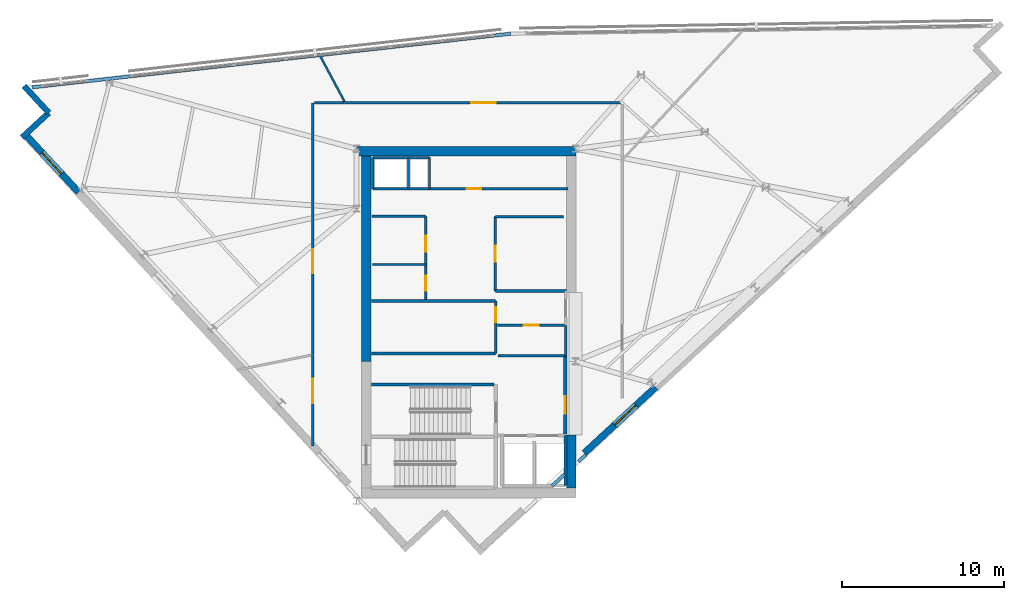
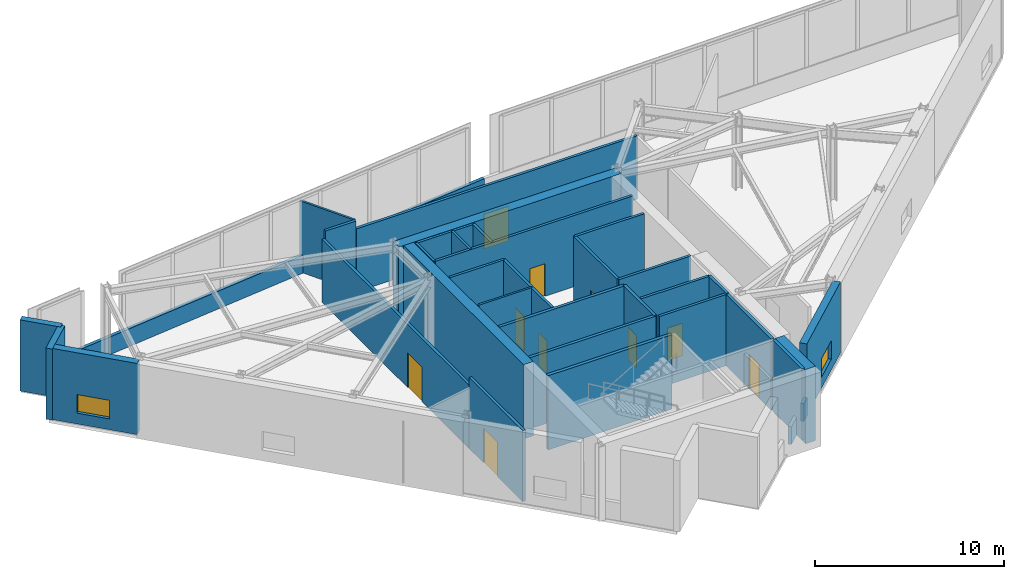
# One storey, part 9 of 12: 35 walls, 10 doors, 2 windows, 12 openings.
"""IFC4 building model written with IfcOpenShell, lengths in metres."""

from ifc_helpers import new_model, si_unit, direction, frame, frame_2d, origin, place, context, subcontext, project, spatial, polyline, rectangle, outline, extrude, material, layer, layer_set, type_object, element, fill, save


model = new_model("IFC4")

# Units and contexts
model_context = context("Model", 3, precision=1e-05, world=origin(), true_north=direction((0.0, 1.0)))
body_context = subcontext(model_context, "Body", "Model", "MODEL_VIEW")
ifc_project = project(units=[si_unit("LENGTHUNIT", "METRE"), si_unit("AREAUNIT", "SQUARE_METRE"), si_unit("VOLUMEUNIT", "CUBIC_METRE"), si_unit("PLANEANGLEUNIT", "RADIAN"), si_unit("MASSUNIT", "GRAM", prefix="KILO")], contexts=[model_context])

# Site, building, storey
site_placement = place(None, origin())
site = spatial("IfcSite", under=ifc_project, at=site_placement, CompositionType="ELEMENT")
building_placement = place(site_placement, origin())
building = spatial("IfcBuilding", under=site, at=building_placement, Name="Narakoshi Arena Tower", CompositionType="ELEMENT")
storey_placement = place(building_placement, frame((0.0, 0.0, 298.179931640625)))
storey = spatial("IfcBuildingStorey", under=building, at=storey_placement, Name="L81", CompositionType="ELEMENT", Elevation=298.179931640625)

# Walls
ifc_material_1 = material(Name="Concrete C50/60", Category="concrete")
ifc_layer_1 = layer(ifc_material_1, 0.60009765625)
ifc_layer_set_1 = layer_set([ifc_layer_1], Name="Concrete C50/60")
wall_type_1 = type_object("IfcWallType", Name="WL-CORE-600", PredefinedType="SHEAR", material=ifc_layer_set_1)
wall_1_placement = place(storey_placement, frame((85.300048828125, 35.5, -0.199951171875), z_axis=(0.0, 0.0, 1.0), x_axis=(0.0, 1.0, 0.0)))
element("IfcWall", 1, at=wall_1_placement, inside=storey, type_object=wall_type_1, Name="L81 Central Core Shear Wall CW-APX-E", PredefinedType="SHEAR", context=body_context, shape_type="SweptSolid", body=[
    extrude(rectangle(XDim=3.300048828125, YDim=0.60009765625, at=frame_2d((1.64990234375, 0.0))), origin(), (0.0, 0.0, 1.0), 4.800048828125),
])
wall_2_placement = place(storey_placement, frame((72.60009765625, 43.35009765625, -0.199951171875), z_axis=(0.0, 0.0, 1.0), x_axis=(0.0, 1.0, 0.0)))
element("IfcWall", 2, at=wall_2_placement, inside=storey, type_object=wall_type_1, Name="L81 Main Core Shear Wall CW-MN-W", PredefinedType="SHEAR", context=body_context, shape_type="SweptSolid", body=[
    extrude(rectangle(XDim=12.699951171875, YDim=0.60009765625, at=frame_2d((6.35009765625, 0.0))), origin(), (0.0, 0.0, 1.0), 4.800048828125),
])
wall_3_placement = place(storey_placement, frame((72.0, 56.35009765625, -0.199951171875), z_axis=(0.0, 0.0, 1.0), x_axis=(1.0, 0.0, 0.0)))
element("IfcWall", 3, at=wall_3_placement, inside=storey, type_object=wall_type_1, Name="L81 Main Core Shear Wall CW-MN-N", PredefinedType="SHEAR", context=body_context, shape_type="SweptSolid", body=[
    extrude(rectangle(XDim=13.60009765625, YDim=0.60009765625, at=frame_2d((6.800048828125, 0.0))), origin(), (0.0, 0.0, 1.0), 4.800048828125),
])

# Wall, opening, door
ifc_material_2 = material(Name="Gypsum plasterboard fire-rated partition")
ifc_layer_2 = layer(ifc_material_2, 0.1650390625)
ifc_layer_set_2 = layer_set([ifc_layer_2], Name="Gypsum plasterboard fire-rated partition")
wall_type_2 = type_object("IfcWallType", Name="WL-CORR-165", PredefinedType="PARTITIONING", material=ifc_layer_set_2)
wall_4_placement = place(storey_placement, frame((69.300048828125, 43.7841796875, 0.0), z_axis=(0.0, 0.0, 1.0), x_axis=(0.0, -1.0, 0.0)))
wall_4 = element("IfcWall", 4, at=wall_4_placement, inside=storey, type_object=wall_type_2, Name="L81 Corridor Partition 01-1", PredefinedType="PARTITIONING", context=body_context, shape_type="SweptSolid", body=[
    extrude(rectangle(XDim=5.675048828125, YDim=0.1650390625, at=frame_2d((2.83740234375, 0.0))), origin(), (0.0, 0.0, 1.0), 4.60009765625),
])
opening_1_placement = place(wall_4_placement, frame((1.521240234375, 0.0, 0.0)))
opening_1 = element("IfcOpeningElement", 5, at=opening_1_placement, cuts=wall_4, Name="Opening D-09", PredefinedType="OPENING", context=body_context, shape_type="SweptSolid", body=[
    extrude(rectangle(XDim=1.5, YDim=2.25, at=frame_2d((0.75, 1.125))), frame((0.0, 0.092529296875, 0.0), z_axis=(0.0, -1.0, 0.0), x_axis=(1.0, 0.0, 0.0)), (0.0, 0.0, 1.0), 0.18505859375),
])
ifc_material_3 = material(Name="Painted galvanized steel", Category="steel")
door_type_1 = type_object("IfcDoorType", Name="DR-PLT-1500", OperationType="DOUBLE_DOOR_SINGLE_SWING", PredefinedType="DOOR", material=ifc_material_3)
door_1_placement = place(opening_1_placement, frame((1.5, 0.0, 0.0), z_axis=(0.0, 0.0, 1.0), x_axis=(-1.0, 0.0, 0.0)))
door_1 = element("IfcDoor", 6, at=door_1_placement, inside=storey, type_object=door_type_1, Name="DR-L81-013", OperationType="DOUBLE_DOOR_SINGLE_SWING", OverallHeight=2.25, OverallWidth=1.5, PredefinedType="DOOR", context=body_context, shape_type="SweptSolid", body=[
    extrude(rectangle(XDim=1.5, YDim=2.25, at=frame_2d((0.75, 1.125))), frame((0.0, 0.02490234375, 0.0), z_axis=(0.0, -1.0, 0.0), x_axis=(1.0, 0.0, 0.0)), (0.0, 0.0, 1.0), 0.050048828125),
])
fill(opening_1, door_1)

wall_5_placement = place(storey_placement, frame((88.449951171875, 59.35009765625, 0.0), z_axis=(0.0, 0.0, 1.0), x_axis=(-1.0, 0.0, 0.0)))
wall_5 = element("IfcWall", 7, at=wall_5_placement, inside=storey, type_object=wall_type_2, Name="L81 Corridor Partition 03-1", PredefinedType="PARTITIONING", context=body_context, shape_type="SweptSolid", body=[
    extrude(rectangle(XDim=17.1796875, YDim=0.1650390625, at=frame_2d((8.58984375, 0.0))), origin(), (0.0, 0.0, 1.0), 4.0849609375),
])
opening_2_placement = place(wall_5_placement, frame((7.83984375, 0.0, 0.0)))
opening_2 = element("IfcOpeningElement", 8, at=opening_2_placement, cuts=wall_5, Name="Opening D-09", PredefinedType="OPENING", context=body_context, shape_type="SweptSolid", body=[
    extrude(rectangle(XDim=1.5, YDim=2.25, at=frame_2d((0.75, 1.125))), frame((0.0, 0.092529296875, 0.0), z_axis=(0.0, -1.0, 0.0), x_axis=(1.0, 0.0, 0.0)), (0.0, 0.0, 1.0), 0.18505859375),
])
door_2_placement = place(opening_2_placement, frame((1.5, 0.0, 0.0), z_axis=(0.0, 0.0, 1.0), x_axis=(-1.0, 0.0, 0.0)))
door_2 = element("IfcDoor", 9, at=door_2_placement, inside=storey, type_object=door_type_1, Name="DR-L81-015", OperationType="DOUBLE_DOOR_SINGLE_SWING", OverallHeight=2.25, OverallWidth=1.5, PredefinedType="DOOR", context=body_context, shape_type="SweptSolid", body=[
    extrude(rectangle(XDim=1.5, YDim=2.25, at=frame_2d((0.75, 1.125))), frame((0.0, 0.02490234375, 0.0), z_axis=(0.0, -1.0, 0.0), x_axis=(1.0, 0.0, 0.0)), (0.0, 0.0, 1.0), 0.050048828125),
])
fill(opening_2, door_2)

wall_6_placement = place(storey_placement, frame((69.300048828125, 59.35009765625, 0.0), z_axis=(0.0, 0.0, 1.0), x_axis=(0.0, -1.0, 0.0)))
wall_6 = element("IfcWall", 10, at=wall_6_placement, inside=storey, type_object=wall_type_2, Name="L81 Corridor Partition 04-1", PredefinedType="PARTITIONING", context=body_context, shape_type="SweptSolid", body=[
    extrude(rectangle(XDim=15.54150390625, YDim=0.1650390625, at=frame_2d((7.770751953125, 0.0))), origin(), (0.0, 0.0, 1.0), 4.0849609375),
])
opening_3_placement = place(wall_6_placement, frame((9.06689453125, 0.0, 0.0)))
opening_3 = element("IfcOpeningElement", 11, at=opening_3_placement, cuts=wall_6, Name="Opening D-09", PredefinedType="OPENING", context=body_context, shape_type="SweptSolid", body=[
    extrude(rectangle(XDim=1.5, YDim=2.25, at=frame_2d((0.75, 1.125))), frame((0.0, 0.092529296875, 0.0), z_axis=(0.0, -1.0, 0.0), x_axis=(1.0, 0.0, 0.0)), (0.0, 0.0, 1.0), 0.18505859375),
])
door_3_placement = place(opening_3_placement, frame((1.5, 0.0, 0.0), z_axis=(0.0, 0.0, 1.0), x_axis=(-1.0, 0.0, 0.0)))
door_3 = element("IfcDoor", 12, at=door_3_placement, inside=storey, type_object=door_type_1, Name="DR-L81-016", OperationType="DOUBLE_DOOR_SINGLE_SWING", OverallHeight=2.25, OverallWidth=1.5, PredefinedType="DOOR", context=body_context, shape_type="SweptSolid", body=[
    extrude(rectangle(XDim=1.5, YDim=2.25, at=frame_2d((0.75, 1.125))), frame((0.0, 0.02490234375, 0.0), z_axis=(0.0, -1.0, 0.0), x_axis=(1.0, 0.0, 0.0)), (0.0, 0.0, 1.0), 0.050048828125),
])
fill(opening_3, door_3)

# Walls
wall_7_placement = place(storey_placement, frame((71.242919921875, 59.35009765625, 0.0), z_axis=(0.0, 0.0, 1.0), x_axis=(-1.0, 0.0, 0.0)))
element("IfcWall", 13, at=wall_7_placement, inside=storey, type_object=wall_type_2, Name="L81 Corridor Partition 04-2", PredefinedType="PARTITIONING", context=body_context, shape_type="SweptSolid", body=[
    extrude(rectangle(XDim=1.848388671875, YDim=0.1650390625, at=frame_2d((0.92431640625, 0.0))), origin(), (0.0, 0.0, 1.0), 4.60009765625),
])
ifc_material_4 = material(Name="Precast concrete C45/55", Category="concrete")
ifc_layer_3 = layer(ifc_material_4, 0.25)
ifc_layer_set_3 = layer_set([ifc_layer_3], Name="Precast concrete C45/55")
wall_type_3 = type_object("IfcWallType", Name="WL-PARA-250", PredefinedType="PARAPET", material=ifc_layer_set_3)
wall_8_placement = place(storey_placement, frame((51.936279296875, 60.3037109375, 0.0), z_axis=(0.0, 0.0, 1.0), x_axis=(0.993776757355, 0.111390109707, 0.0)))
element("IfcWall", 14, at=wall_8_placement, inside=storey, type_object=wall_type_3, Name="L81 Crown Sill Upstand Parapet 03", PredefinedType="PARAPET", context=body_context, shape_type="SweptSolid", body=[
    extrude(rectangle(XDim=29.797119140625, YDim=0.199951171875, at=frame_2d((14.8984375, 0.0))), origin(), (0.0, 0.0, 1.0), 1.150146484375),
])
wall_9_placement = place(storey_placement, frame((86.191650390625, 37.56591796875, 0.0), z_axis=(0.0, 0.0, 1.0), x_axis=(-0.734346728958, -0.678774544064, 0.0)))
element("IfcWall", 15, at=wall_9_placement, inside=storey, type_object=wall_type_3, Name="L81 Crown Sill Upstand Parapet 05", PredefinedType="PARAPET", context=body_context, shape_type="SweptSolid", body=[
    extrude(rectangle(XDim=0.614990234375, YDim=0.199951171875, at=frame_2d((0.3076171875, 0.0))), origin(), (0.0, 0.0, 1.0), 1.150146484375),
])
wall_10_placement = place(storey_placement, frame((84.860107421875, 36.3349609375, 0.0), z_axis=(0.0, 0.0, 1.0), x_axis=(-0.734337093013, -0.678784968768, 0.0)))
element("IfcWall", 16, at=wall_10_placement, inside=storey, type_object=wall_type_3, Name="L81 Crown Sill Upstand Parapet 06", PredefinedType="PARAPET", context=body_context, shape_type="SweptSolid", body=[
    extrude(rectangle(XDim=1.02392578125, YDim=0.199951171875, at=frame_2d((0.511962890625, 0.0))), origin(), (0.0, 0.0, 1.0), 1.150146484375),
])
ifc_layer_4 = layer(ifc_material_2, 0.125)
ifc_layer_set_4 = layer_set([ifc_layer_4], Name="Gypsum plasterboard fire-rated partition")
wall_type_4 = type_object("IfcWallType", Name="WL-PART-125", PredefinedType="PARTITIONING", material=ifc_layer_set_4)
wall_11_placement = place(storey_placement, frame((73.0, 49.35009765625, 0.0), z_axis=(0.0, 0.0, 1.0), x_axis=(1.0, 0.0, 0.0)))
element("IfcWall", 17, at=wall_11_placement, inside=storey, type_object=wall_type_4, Name="L81 Core Wall RCL-LR-D1", PredefinedType="PARTITIONING", context=body_context, shape_type="SweptSolid", body=[
    extrude(rectangle(XDim=3.280029296875, YDim=0.125, at=frame_2d((1.64013671875, 0.0))), origin(), (0.0, 0.0, 1.0), 4.60009765625),
])
wall_12_placement = place(storey_placement, frame((71.270263671875, 59.410888671875, 0.0), z_axis=(0.0, 0.0, 1.0), x_axis=(-0.471457578427, 0.881888741137, 0.0)))
element("IfcWall", 18, at=wall_12_placement, inside=storey, type_object=wall_type_4, Name="L81 Inter-Room Partition 03-04", PredefinedType="PARTITIONING", context=body_context, shape_type="SweptSolid", body=[
    extrude(rectangle(XDim=3.424560546875, YDim=0.125, at=frame_2d((1.71240234375, 0.0))), origin(), (0.0, 0.0, 1.0), 4.60009765625),
])

# Wall, opening, window
ifc_layer_5 = layer(ifc_material_4, 0.419921875)
ifc_layer_set_5 = layer_set([ifc_layer_5], Name="Precast concrete C45/55")
wall_type_5 = type_object("IfcWallType", Name="WL-POD-420", PredefinedType="SOLIDWALL", material=ifc_layer_set_5)
wall_13_placement = place(storey_placement, frame((86.10009765625, 37.6650390625, 0.0), z_axis=(0.0, 0.0, 1.0), x_axis=(0.734321413343, 0.678801931277, 0.0)))
wall_13 = element("IfcWall", 19, at=wall_13_placement, inside=storey, type_object=wall_type_5, Name="L81 Architectural Concrete Facade Wall LEGA-2", PredefinedType="SOLIDWALL", context=body_context, shape_type="SweptSolid", body=[
    extrude(outline(polyline([(0.0, 0.0), (6.00244140625, 0.0), (6.00244140625, 4.60009765625), (0.0, 4.60009765625), (0.0, 0.0)])), frame((0.0, 0.2099609375, 0.0), z_axis=(0.0, -1.0, 0.0), x_axis=(1.0, 0.0, 0.0)), (0.0, 0.0, 1.0), 0.419921875),
])
opening_4_placement = place(wall_13_placement, frame((2.569091796875, 0.0, 0.699951171875)))
opening_4 = element("IfcOpeningElement", 20, at=opening_4_placement, cuts=wall_13, Name="Opening WN-05", PredefinedType="OPENING", context=body_context, shape_type="SweptSolid", body=[
    extrude(rectangle(XDim=1.800048828125, YDim=1.199951171875, at=frame_2d((0.89990234375, 0.60009765625))), frame((0.0, 0.219970703125, 0.0), z_axis=(0.0, -1.0, 0.0), x_axis=(1.0, 0.0, 0.0)), (0.0, 0.0, 1.0), 0.43994140625),
])
ifc_material_5 = material(Name="Bronze-tinted low-E laminated glass", Category="glass")
window_type = type_object("IfcWindowType", Name="WIN-SLT-18x12", PartitioningType="SINGLE_PANEL", PredefinedType="WINDOW", material=ifc_material_5)
window_1_placement = place(opening_4_placement, origin())
window_1 = element("IfcWindow", 21, at=window_1_placement, inside=storey, type_object=window_type, Name="L81 LEGA2 Horizontal Slot Window 1", OverallHeight=1.199951171875, OverallWidth=1.800048828125, PartitioningType="SINGLE_PANEL", PredefinedType="WINDOW", context=body_context, shape_type="SweptSolid", body=[
    extrude(rectangle(XDim=1.800048828125, YDim=1.199951171875, at=frame_2d((0.89990234375, 0.60009765625))), frame((0.0, 0.030029296875, 0.0), z_axis=(0.0, -1.0, 0.0), x_axis=(1.0, 0.0, 0.0)), (0.0, 0.0, 1.0), 0.06005859375),
])
fill(opening_4, window_1)

wall_14_placement = place(storey_placement, frame((51.5, 57.38720703125, 0.0), z_axis=(0.0, 0.0, 1.0), x_axis=(0.67880684669, -0.734316869537, 0.0)))
wall_14 = element("IfcWall", 22, at=wall_14_placement, inside=storey, type_object=wall_type_5, Name="L81 Architectural Concrete Facade Wall LEGB-1", PredefinedType="SOLIDWALL", context=body_context, shape_type="SweptSolid", body=[
    extrude(outline(polyline([(0.0, 0.0), (4.86865234375, 0.0), (4.868408203125, 4.60009765625), (0.0, 4.60009765625), (0.0, 0.0)])), frame((0.0, 0.2099609375, 0.0), z_axis=(0.0, -1.0, 0.0), x_axis=(1.0, 0.0, 0.0)), (0.0, 0.0, 1.0), 0.419921875),
])
opening_5_placement = place(wall_14_placement, frame((1.51708984375, 0.0, 0.699951171875)))
opening_5 = element("IfcOpeningElement", 23, at=opening_5_placement, cuts=wall_14, Name="Opening WN-05", PredefinedType="OPENING", context=body_context, shape_type="SweptSolid", body=[
    extrude(rectangle(XDim=1.800048828125, YDim=1.199951171875, at=frame_2d((0.89990234375, 0.60009765625))), frame((0.0, 0.219970703125, 0.0), z_axis=(0.0, -1.0, 0.0), x_axis=(1.0, 0.0, 0.0)), (0.0, 0.0, 1.0), 0.43994140625),
])
window_2_placement = place(opening_5_placement, origin())
window_2 = element("IfcWindow", 24, at=window_2_placement, inside=storey, type_object=window_type, Name="L81 LEGB1 Horizontal Slot Window 1", OverallHeight=1.199951171875, OverallWidth=1.800048828125, PartitioningType="SINGLE_PANEL", PredefinedType="WINDOW", context=body_context, shape_type="SweptSolid", body=[
    extrude(rectangle(XDim=1.800048828125, YDim=1.199951171875, at=frame_2d((0.89990234375, 0.60009765625))), frame((0.0, 0.030029296875, 0.0), z_axis=(0.0, -1.0, 0.0), x_axis=(1.0, 0.0, 0.0)), (0.0, 0.0, 1.0), 0.06005859375),
])
fill(opening_5, window_2)

# Walls
for number, where, z_axis, x_axis, name in (
    (25, (51.42333984375, 60.38720703125, 0.0), (0.0, 0.0, 1.0), (0.678792531533, -0.734330102294, 0.0), "L81 Re-Entrant Corner Notch Wall NTN-1"),
    (26, (52.9541015625, 58.731201171875, 0.0), (0.0, 0.0, 1.0), (-0.734330102294, -0.678792531533, 0.0), "L81 Re-Entrant Corner Notch Wall NTN-2"),
):
    element("IfcWall", number, at=place(storey_placement, frame(where, z_axis=z_axis, x_axis=x_axis)), inside=storey, type_object=wall_type_5, Name=name, PredefinedType="SOLIDWALL", context=body_context, shape_type="SweptSolid", body=[
        extrude(rectangle(XDim=2.255126953125, YDim=0.360107421875, at=frame_2d((1.12744140625, 0.0))), origin(), (0.0, 0.0, 1.0), 4.60009765625),
    ])
ifc_material_6 = material(Name="Concrete C40/50", Category="concrete")
ifc_layer_6 = layer(ifc_material_6, 0.280029296875)
ifc_layer_set_6 = layer_set([ifc_layer_6], Name="Concrete C40/50")
wall_type_6 = type_object("IfcWallType", Name="WL-RISER-280", PredefinedType="PLUMBINGWALL", material=ifc_layer_set_6)
wall_15_placement = place(storey_placement, frame((72.919921875, 43.830078125, 0.0), z_axis=(0.0, 0.0, 1.0), x_axis=(1.0, 0.0, 0.0)))
element("IfcWall", 27, at=wall_15_placement, inside=storey, type_object=wall_type_6, Name="L81 Core Wall CST-S", PredefinedType="PLUMBINGWALL", context=body_context, shape_type="SweptSolid", body=[
    extrude(rectangle(XDim=7.7001953125, YDim=0.179931640625, at=frame_2d((3.85009765625, 0.0))), origin(), (0.0, 0.0, 1.0), 4.60009765625),
])

# Wall, opening, door
wall_16_placement = place(storey_placement, frame((80.6201171875, 43.830078125, 0.0), z_axis=(0.0, 0.0, 1.0), x_axis=(0.0, 1.0, 0.0)))
wall_16 = element("IfcWall", 28, at=wall_16_placement, inside=storey, type_object=wall_type_6, Name="L81 Core Wall CST-E", PredefinedType="PLUMBINGWALL", context=body_context, shape_type="SweptSolid", body=[
    extrude(rectangle(XDim=3.239990234375, YDim=0.179931640625, at=frame_2d((1.6201171875, 0.0))), origin(), (0.0, 0.0, 1.0), 4.60009765625),
])
opening_6_placement = place(wall_16_placement, frame((1.949951171875, 0.0, 0.0)))
opening_6 = element("IfcOpeningElement", 29, at=opening_6_placement, cuts=wall_16, Name="Opening D-08", PredefinedType="OPENING", context=body_context, shape_type="SweptSolid", body=[
    extrude(rectangle(XDim=0.89990234375, YDim=2.10009765625, at=frame_2d((0.449951171875, 1.050048828125))), frame((0.0, 0.099853515625, 0.0), z_axis=(0.0, -1.0, 0.0), x_axis=(1.0, 0.0, 0.0)), (0.0, 0.0, 1.0), 0.199951171875),
])
ifc_material_7 = material(Name="Moisture-resistant laminate timber", Category="wood")
door_type_2 = type_object("IfcDoorType", Name="DR-WC-900", OperationType="NOTDEFINED", PredefinedType="DOOR", material=ifc_material_7)
door_4_placement = place(opening_6_placement, frame((0.89990234375, 0.0, 0.0), z_axis=(0.0, 0.0, 1.0), x_axis=(-1.0, 0.0, 0.0)))
door_4 = element("IfcDoor", 30, at=door_4_placement, inside=storey, type_object=door_type_2, Name="DR-L81-006", OperationType="SINGLE_SWING_RIGHT", OverallHeight=2.10009765625, OverallWidth=0.89990234375, PredefinedType="DOOR", context=body_context, shape_type="SweptSolid", body=[
    extrude(rectangle(XDim=0.89990234375, YDim=2.10009765625, at=frame_2d((0.449951171875, 1.050048828125))), frame((0.0, 0.02490234375, 0.0), z_axis=(0.0, -1.0, 0.0), x_axis=(1.0, 0.0, 0.0)), (0.0, 0.0, 1.0), 0.050048828125),
])
fill(opening_6, door_4)

# Walls
wall_17_placement = place(storey_placement, frame((72.919921875, 47.070068359375, 0.0), z_axis=(0.0, 0.0, 1.0), x_axis=(1.0, 0.0, 0.0)))
element("IfcWall", 31, at=wall_17_placement, inside=storey, type_object=wall_type_6, Name="L81 Core Wall CST-N", PredefinedType="PLUMBINGWALL", context=body_context, shape_type="SweptSolid", body=[
    extrude(rectangle(XDim=7.7001953125, YDim=0.179931640625, at=frame_2d((3.85009765625, 0.0))), origin(), (0.0, 0.0, 1.0), 4.60009765625),
])
wall_18_placement = place(storey_placement, frame((84.949951171875, 43.679931640625, 0.0), z_axis=(0.0, 0.0, 1.0), x_axis=(0.0, 1.0, 0.0)))
element("IfcWall", 32, at=wall_18_placement, inside=storey, type_object=wall_type_6, Name="L81 Core Wall RSR-E", PredefinedType="PLUMBINGWALL", context=body_context, shape_type="SweptSolid", body=[
    extrude(rectangle(XDim=1.900146484375, YDim=0.1650390625, at=frame_2d((0.9501953125, 0.0))), origin(), (0.0, 0.0, 1.0), 4.60009765625),
])

# Wall, opening, door
wall_19_placement = place(storey_placement, frame((80.719970703125, 45.580078125, 0.0), z_axis=(0.0, 0.0, 1.0), x_axis=(1.0, 0.0, 0.0)))
wall_19 = element("IfcWall", 33, at=wall_19_placement, inside=storey, type_object=wall_type_6, Name="L81 Core Wall RSR-N", PredefinedType="PLUMBINGWALL", context=body_context, shape_type="SweptSolid", body=[
    extrude(rectangle(XDim=4.22998046875, YDim=0.159912109375, at=frame_2d((2.114990234375, 0.0))), origin(), (0.0, 0.0, 1.0), 4.60009765625),
])
opening_7_placement = place(wall_19_placement, frame((1.64990234375, 0.0, 0.0)))
opening_7 = element("IfcOpeningElement", 34, at=opening_7_placement, cuts=wall_19, Name="Opening D-08", PredefinedType="OPENING", context=body_context, shape_type="SweptSolid", body=[
    extrude(rectangle(XDim=0.89990234375, YDim=2.10009765625, at=frame_2d((0.449951171875, 1.050048828125))), frame((0.0, 0.08984375, 0.0), z_axis=(0.0, -1.0, 0.0), x_axis=(1.0, 0.0, 0.0)), (0.0, 0.0, 1.0), 0.179931640625),
])
door_5_placement = place(opening_7_placement, frame((0.89990234375, 0.0, 0.0), z_axis=(0.0, 0.0, 1.0), x_axis=(-1.0, 0.0, 0.0)))
door_5 = element("IfcDoor", 35, at=door_5_placement, inside=storey, type_object=door_type_2, Name="DR-L81-008", OperationType="SINGLE_SWING_LEFT", OverallHeight=2.10009765625, OverallWidth=0.89990234375, PredefinedType="DOOR", context=body_context, shape_type="SweptSolid", body=[
    extrude(rectangle(XDim=0.89990234375, YDim=2.10009765625, at=frame_2d((0.449951171875, 1.050048828125))), frame((0.0, 0.02490234375, 0.0), z_axis=(0.0, -1.0, 0.0), x_axis=(1.0, 0.0, 0.0)), (0.0, 0.0, 1.0), 0.050048828125),
])
fill(opening_7, door_5)

# Walls
wall_20_placement = place(storey_placement, frame((80.760009765625, 43.679931640625, 0.0), z_axis=(0.0, 0.0, 1.0), x_axis=(1.0, 0.0, 0.0)))
element("IfcWall", 36, at=wall_20_placement, inside=storey, type_object=wall_type_6, Name="L81 Core Wall RSR-S", PredefinedType="PLUMBINGWALL", context=body_context, shape_type="SweptSolid", body=[
    extrude(rectangle(XDim=4.18994140625, YDim=0.159912109375, at=frame_2d((2.094970703125, 0.0))), origin(), (0.0, 0.0, 1.0), 4.60009765625),
])
for number, where, z_axis, x_axis, name in (
    (37, (73.02001953125, 54.02001953125, 0.0), (0.0, 0.0, 1.0), (0.0, 1.0, 0.0), "L81 Core Wall OBS-W"),
    (38, (75.219970703125, 54.02001953125, 0.0), (0.0, 0.0, 1.0), (0.0, 1.0, 0.0), "L81 Core Wall OBS-M"),
):
    element("IfcWall", number, at=place(storey_placement, frame(where, z_axis=z_axis, x_axis=x_axis)), inside=storey, type_object=wall_type_6, Name=name, PredefinedType="PLUMBINGWALL", context=body_context, shape_type="SweptSolid", body=[
        extrude(rectangle(XDim=1.93994140625, YDim=0.14990234375, at=frame_2d((0.969970703125, 0.0))), origin(), (0.0, 0.0, 1.0), 4.60009765625),
    ])
ifc_layer_7 = layer(ifc_material_1, 0.35009765625)
ifc_layer_set_7 = layer_set([ifc_layer_7], Name="Concrete C50/60")
wall_type_7 = type_object("IfcWallType", Name="WL-SHAFT-350", PredefinedType="SOLIDWALL", material=ifc_layer_set_7)
wall_21_placement = place(storey_placement, frame((84.949951171875, 35.64990234375, 0.0), z_axis=(0.0, 0.0, 1.0), x_axis=(0.0, 1.0, 0.0)))
element("IfcWall", 39, at=wall_21_placement, inside=storey, type_object=wall_type_7, Name="L81 Core Wall FF-E", PredefinedType="SOLIDWALL", context=body_context, shape_type="SweptSolid", body=[
    extrude(rectangle(XDim=3.10009765625, YDim=0.179931640625, at=frame_2d((1.550048828125, 0.0))), origin(), (0.0, 0.0, 1.0), 4.60009765625),
])

# Wall, opening, door
wall_22_placement = place(storey_placement, frame((84.919921875, 38.85009765625, 0.0), z_axis=(0.0, 0.0, 1.0), x_axis=(0.0, 1.0, 0.0)))
wall_22 = element("IfcWall", 40, at=wall_22_placement, inside=storey, type_object=wall_type_7, Name="L81 Core Wall FFLOB-E", PredefinedType="SOLIDWALL", context=body_context, shape_type="SweptSolid", body=[
    extrude(rectangle(XDim=4.829833984375, YDim=0.199951171875, at=frame_2d((2.4150390625, 0.0))), origin(), (0.0, 0.0, 1.0), 4.60009765625),
])
opening_8_placement = place(wall_22_placement, frame((1.25, 0.0, 0.0)))
opening_8 = element("IfcOpeningElement", 41, at=opening_8_placement, cuts=wall_22, Name="Opening D-04", PredefinedType="OPENING", context=body_context, shape_type="SweptSolid", body=[
    extrude(rectangle(XDim=1.10009765625, YDim=2.199951171875, at=frame_2d((0.550048828125, 1.10009765625))), frame((0.0, 0.10986328125, 0.0), z_axis=(0.0, -1.0, 0.0), x_axis=(1.0, 0.0, 0.0)), (0.0, 0.0, 1.0), 0.219970703125),
])
door_type_3 = type_object("IfcDoorType", Name="DR-FFL-1100", OperationType="NOTDEFINED", PredefinedType="DOOR", material=ifc_material_3)
door_6_placement = place(opening_8_placement, frame((1.10009765625, 0.0, 0.0), z_axis=(0.0, 0.0, 1.0), x_axis=(-1.0, 0.0, 0.0)))
door_6 = element("IfcDoor", 42, at=door_6_placement, inside=storey, type_object=door_type_3, Name="DR-L81-005", OperationType="SINGLE_SWING_RIGHT", OverallHeight=2.199951171875, OverallWidth=1.10009765625, PredefinedType="DOOR", context=body_context, shape_type="SweptSolid", body=[
    extrude(rectangle(XDim=1.10009765625, YDim=2.199951171875, at=frame_2d((0.550048828125, 1.10009765625))), frame((0.0, 0.02490234375, 0.0), z_axis=(0.0, -1.0, 0.0), x_axis=(1.0, 0.0, 0.0)), (0.0, 0.0, 1.0), 0.050048828125),
])
fill(opening_8, door_6)

# Wall
wall_23_placement = place(storey_placement, frame((72.919921875, 41.919921875, -0.199951171875), z_axis=(0.0, 0.0, 1.0), x_axis=(1.0, 0.0, 0.0)))
element("IfcWall", 43, at=wall_23_placement, inside=storey, type_object=wall_type_7, Name="L81 Core Wall ST2-N", PredefinedType="SOLIDWALL", context=body_context, shape_type="SweptSolid", body=[
    extrude(rectangle(XDim=7.580078125, YDim=0.199951171875, at=frame_2d((3.7900390625, 0.0))), origin(), (0.0, 0.0, 1.0), 4.800048828125),
])

# Wall, openings, doors
wall_24_placement = place(storey_placement, frame((76.280029296875, 47.179931640625, 0.0), z_axis=(0.0, 0.0, 1.0), x_axis=(0.0, 1.0, 0.0)))
wall_24 = element("IfcWall", 44, at=wall_24_placement, inside=storey, type_object=wall_type_7, Name="L81 Core Wall LR-E", PredefinedType="SOLIDWALL", context=body_context, shape_type="SweptSolid", body=[
    extrude(rectangle(XDim=5.14013671875, YDim=0.159912109375, at=frame_2d((2.570068359375, 0.0))), origin(), (0.0, 0.0, 1.0), 4.60009765625),
])
opening_9_placement = place(wall_24_placement, frame((0.550048828125, 0.0, 0.0)))
opening_9 = element("IfcOpeningElement", 45, at=opening_9_placement, cuts=wall_24, Name="Opening D-08", PredefinedType="OPENING", context=body_context, shape_type="SweptSolid", body=[
    extrude(rectangle(XDim=0.89990234375, YDim=2.10009765625, at=frame_2d((0.449951171875, 1.050048828125))), frame((0.0, 0.08984375, 0.0), z_axis=(0.0, -1.0, 0.0), x_axis=(1.0, 0.0, 0.0)), (0.0, 0.0, 1.0), 0.179931640625),
])
opening_10_placement = place(wall_24_placement, frame((2.949951171875, 0.0, 0.0)))
opening_10 = element("IfcOpeningElement", 46, at=opening_10_placement, cuts=wall_24, Name="Opening D-06", PredefinedType="OPENING", context=body_context, shape_type="SweptSolid", body=[
    extrude(rectangle(XDim=1.0, YDim=2.199951171875, at=frame_2d((0.5, 1.10009765625))), frame((0.0, 0.08984375, 0.0), z_axis=(0.0, -1.0, 0.0), x_axis=(1.0, 0.0, 0.0)), (0.0, 0.0, 1.0), 0.179931640625),
])
ifc_material_8 = material(Name="Stained oak solid-core timber", Category="wood")
door_type_4 = type_object("IfcDoorType", Name="DR-OFF-1000", OperationType="NOTDEFINED", PredefinedType="DOOR", material=ifc_material_8)
door_7_placement = place(opening_10_placement, frame((1.0, 0.0, 0.0), z_axis=(0.0, 0.0, 1.0), x_axis=(-1.0, 0.0, 0.0)))
door_7 = element("IfcDoor", 47, at=door_7_placement, inside=storey, type_object=door_type_4, Name="DR-L81-010", OperationType="SINGLE_SWING_LEFT", OverallHeight=2.199951171875, OverallWidth=1.0, PredefinedType="DOOR", context=body_context, shape_type="SweptSolid", body=[
    extrude(rectangle(XDim=1.0, YDim=2.199951171875, at=frame_2d((0.5, 1.10009765625))), frame((0.0, 0.02490234375, 0.0), z_axis=(0.0, -1.0, 0.0), x_axis=(1.0, 0.0, 0.0)), (0.0, 0.0, 1.0), 0.050048828125),
])
fill(opening_10, door_7)
door_8_placement = place(opening_9_placement, frame((0.89990234375, 0.0, 0.0), z_axis=(0.0, 0.0, 1.0), x_axis=(-1.0, 0.0, 0.0)))
door_8 = element("IfcDoor", 48, at=door_8_placement, inside=storey, type_object=door_type_2, Name="DR-L81-009", OperationType="SINGLE_SWING_RIGHT", OverallHeight=2.10009765625, OverallWidth=0.89990234375, PredefinedType="DOOR", context=body_context, shape_type="SweptSolid", body=[
    extrude(rectangle(XDim=0.89990234375, YDim=2.10009765625, at=frame_2d((0.449951171875, 1.050048828125))), frame((0.0, 0.02490234375, 0.0), z_axis=(0.0, -1.0, 0.0), x_axis=(1.0, 0.0, 0.0)), (0.0, 0.0, 1.0), 0.050048828125),
])
fill(opening_9, door_8)

# Wall
wall_25_placement = place(storey_placement, frame((72.949951171875, 52.320068359375, 0.0), z_axis=(0.0, 0.0, 1.0), x_axis=(1.0, 0.0, 0.0)))
element("IfcWall", 49, at=wall_25_placement, inside=storey, type_object=wall_type_7, Name="L81 Core Wall LR-N", PredefinedType="SOLIDWALL", context=body_context, shape_type="SweptSolid", body=[
    extrude(rectangle(XDim=3.330078125, YDim=0.14990234375, at=frame_2d((1.6650390625, 0.0))), origin(), (0.0, 0.0, 1.0), 4.60009765625),
])

# Wall, opening, door
wall_26_placement = place(storey_placement, frame((80.60009765625, 47.699951171875, 0.0), z_axis=(0.0, 0.0, 1.0), x_axis=(0.0, 1.0, 0.0)))
wall_26 = element("IfcWall", 50, at=wall_26_placement, inside=storey, type_object=wall_type_7, Name="L81 Core Wall MR-W", PredefinedType="SOLIDWALL", context=body_context, shape_type="SweptSolid", body=[
    extrude(rectangle(XDim=4.60009765625, YDim=0.159912109375, at=frame_2d((2.300048828125, 0.0))), origin(), (0.0, 0.0, 1.0), 4.60009765625),
])
opening_11_placement = place(wall_26_placement, frame((1.800048828125, 0.0, 0.0)))
opening_11 = element("IfcOpeningElement", 51, at=opening_11_placement, cuts=wall_26, Name="Opening D-06", PredefinedType="OPENING", context=body_context, shape_type="SweptSolid", body=[
    extrude(rectangle(XDim=1.0, YDim=2.199951171875, at=frame_2d((0.5, 1.10009765625))), frame((0.0, 0.08984375, 0.0), z_axis=(0.0, -1.0, 0.0), x_axis=(1.0, 0.0, 0.0)), (0.0, 0.0, 1.0), 0.179931640625),
])
door_9_placement = place(opening_11_placement, origin())
door_9 = element("IfcDoor", 52, at=door_9_placement, inside=storey, type_object=door_type_4, Name="DR-L81-011", OperationType="SINGLE_SWING_LEFT", OverallHeight=2.199951171875, OverallWidth=1.0, PredefinedType="DOOR", context=body_context, shape_type="SweptSolid", body=[
    extrude(rectangle(XDim=1.0, YDim=2.199951171875, at=frame_2d((0.5, 1.10009765625))), frame((0.0, 0.02490234375, 0.0), z_axis=(0.0, -1.0, 0.0), x_axis=(1.0, 0.0, 0.0)), (0.0, 0.0, 1.0), 0.050048828125),
])
fill(opening_11, door_9)

# Walls
wall_27_placement = place(storey_placement, frame((80.60009765625, 47.699951171875, 0.0), z_axis=(0.0, 0.0, 1.0), x_axis=(1.0, 0.0, 0.0)))
element("IfcWall", 53, at=wall_27_placement, inside=storey, type_object=wall_type_7, Name="L81 Core Wall MR-S", PredefinedType="SOLIDWALL", context=body_context, shape_type="SweptSolid", body=[
    extrude(rectangle(XDim=4.39990234375, YDim=0.159912109375, at=frame_2d((2.199951171875, 0.0))), origin(), (0.0, 0.0, 1.0), 4.60009765625),
])
wall_28_placement = place(storey_placement, frame((80.60009765625, 52.300048828125, 0.0), z_axis=(0.0, 0.0, 1.0), x_axis=(1.0, 0.0, 0.0)))
element("IfcWall", 54, at=wall_28_placement, inside=storey, type_object=wall_type_7, Name="L81 Core Wall MR-N", PredefinedType="SOLIDWALL", context=body_context, shape_type="SweptSolid", body=[
    extrude(rectangle(XDim=4.219970703125, YDim=0.159912109375, at=frame_2d((2.10986328125, 0.0))), origin(), (0.0, 0.0, 1.0), 4.60009765625),
])

# Wall, opening, door
wall_29_placement = place(storey_placement, frame((73.02001953125, 54.02001953125, 0.0), z_axis=(0.0, 0.0, 1.0), x_axis=(1.0, 0.0, 0.0)))
wall_29 = element("IfcWall", 55, at=wall_29_placement, inside=storey, type_object=wall_type_7, Name="L81 Core Wall NSHF-S", PredefinedType="SOLIDWALL", context=body_context, shape_type="SweptSolid", body=[
    extrude(rectangle(XDim=12.080078125, YDim=0.159912109375, at=frame_2d((6.0400390625, 0.0))), origin(), (0.0, 0.0, 1.0), 4.60009765625),
])
opening_12_placement = place(wall_29_placement, frame((5.800048828125, 0.0, 0.0)))
opening_12 = element("IfcOpeningElement", 56, at=opening_12_placement, cuts=wall_29, Name="Opening D-08", PredefinedType="OPENING", context=body_context, shape_type="SweptSolid", body=[
    extrude(rectangle(XDim=0.89990234375, YDim=2.10009765625, at=frame_2d((0.449951171875, 1.050048828125))), frame((0.0, 0.08984375, 0.0), z_axis=(0.0, -1.0, 0.0), x_axis=(1.0, 0.0, 0.0)), (0.0, 0.0, 1.0), 0.179931640625),
])
door_10_placement = place(opening_12_placement, origin())
door_10 = element("IfcDoor", 57, at=door_10_placement, inside=storey, type_object=door_type_2, Name="DR-L81-012", OperationType="SINGLE_SWING_LEFT", OverallHeight=2.10009765625, OverallWidth=0.89990234375, PredefinedType="DOOR", context=body_context, shape_type="SweptSolid", body=[
    extrude(rectangle(XDim=0.89990234375, YDim=2.10009765625, at=frame_2d((0.449951171875, 1.050048828125))), frame((0.0, 0.02490234375, 0.0), z_axis=(0.0, -1.0, 0.0), x_axis=(1.0, 0.0, 0.0)), (0.0, 0.0, 1.0), 0.050048828125),
])
fill(opening_12, door_10)

# Walls
wall_30_placement = place(storey_placement, frame((73.02001953125, 55.9599609375, 0.0), z_axis=(0.0, 0.0, 1.0), x_axis=(1.0, 0.0, 0.0)))
element("IfcWall", 58, at=wall_30_placement, inside=storey, type_object=wall_type_7, Name="L81 Core Wall OBS-N", PredefinedType="SOLIDWALL", context=body_context, shape_type="SweptSolid", body=[
    extrude(rectangle(XDim=3.5, YDim=0.14990234375, at=frame_2d((1.75, 0.0))), origin(), (0.0, 0.0, 1.0), 4.60009765625),
])
wall_31_placement = place(storey_placement, frame((76.52001953125, 54.02001953125, 0.0), z_axis=(0.0, 0.0, 1.0), x_axis=(0.0, 1.0, 0.0)))
element("IfcWall", 59, at=wall_31_placement, inside=storey, type_object=wall_type_7, Name="L81 Core Wall OBS-E", PredefinedType="SOLIDWALL", context=body_context, shape_type="SweptSolid", body=[
    extrude(rectangle(XDim=1.93994140625, YDim=0.14990234375, at=frame_2d((0.969970703125, 0.0))), origin(), (0.0, 0.0, 1.0), 4.60009765625),
])

save(model, "model.ifc")
